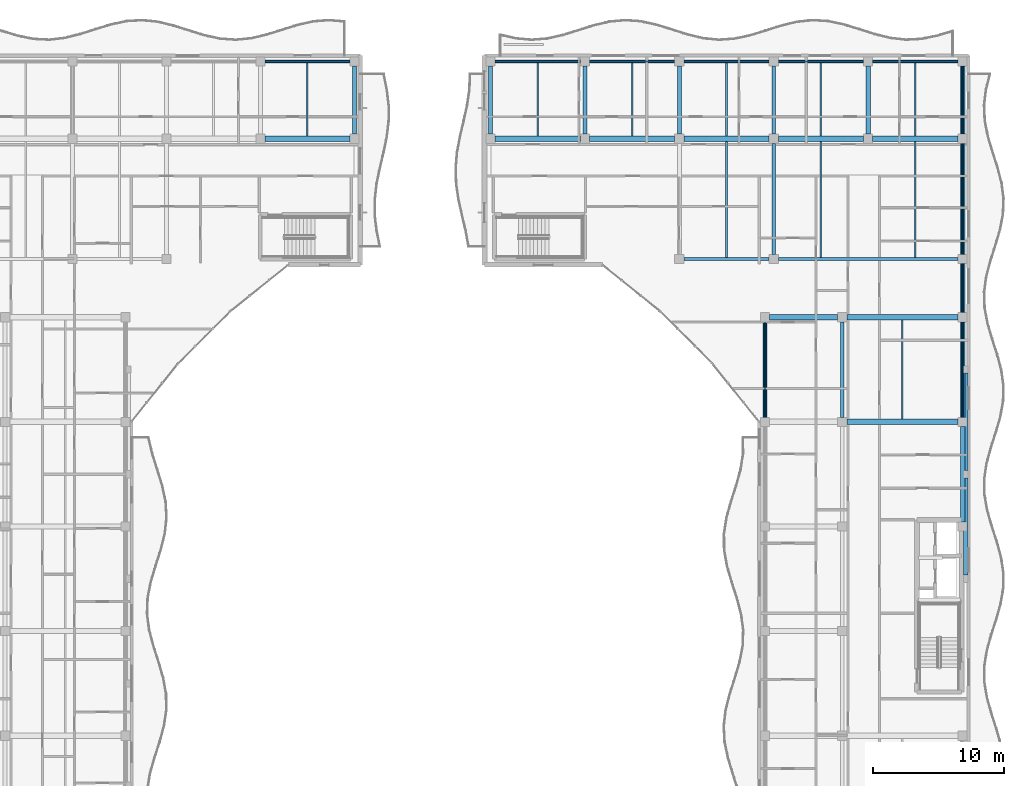
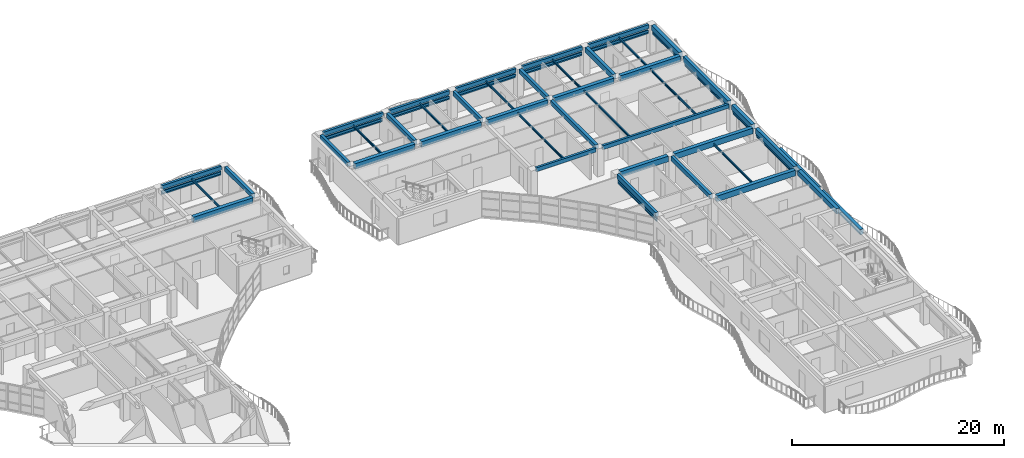
# One storey, part 35 of 89: 43 beams, 22 members.
"""IFC4 building model written with IfcOpenShell, lengths in metres."""

import ifcopenshell
import ifcopenshell.guid

model = None  # the IFC model being written
_history = None  # IfcOwnerHistory: only IFC2X3 demands one
_inside = {}  # id of a spatial element -> (the spatial element, [elements in it])
_under = {}  # id of a project, library or spatial element -> (it, [spatial elements below it])
_declared = {}  # id of a project -> (the project, [libraries it declares])
_typed = {}  # id of a type object -> (the type object, [elements of that type])
_made_of = {}  # id of a material, layer set ... -> (it, [elements and type objects made of it])


def new_model(schema):
    """Start an empty IFC model of exactly this schema.

    Asked for "IFC4X3", IfcOpenShell would pick the latest addendum, in which some entities
    have other attributes; the version numbers below select the first issue.
    IFC2X3 requires an IfcOwnerHistory on every rooted entity: one is made here for all.
    """
    global model, _history
    if schema == "IFC4X3":
        model = ifcopenshell.file(schema_version=(4, 3, 0, 0))
    else:
        model = ifcopenshell.file(schema=schema)
    _inside.clear()
    _under.clear()
    _declared.clear()
    _typed.clear()
    _made_of.clear()
    _history = None
    if model.schema == "IFC2X3":
        org = make("IfcOrganization", Name="unknown")
        user = make(
            "IfcPersonAndOrganization",
            ThePerson=make("IfcPerson", FamilyName="unknown"),
            TheOrganization=org,
        )
        app = make(
            "IfcApplication",
            ApplicationDeveloper=org,
            Version="unknown",
            ApplicationFullName="unknown",
            ApplicationIdentifier="unknown",
        )
        _history = make(
            "IfcOwnerHistory",
            OwningUser=user,
            OwningApplication=app,
            ChangeAction="ADDED",
            CreationDate=0,
        )
    return model


def make(cls, **values):
    """One entity of the class cls with the attributes given. An attribute that is None is left unset."""
    return model.create_entity(
        cls, **{name: value for name, value in values.items() if value is not None}
    )


def rooted(cls, **values):
    """An entity with a GlobalId (a new one), such as an element, a storey or a relation."""
    return make(cls, GlobalId=ifcopenshell.guid.new(), OwnerHistory=_history, **values)


def si_unit(unit_type, name, prefix=None):
    """IfcSIUnit, for example si_unit("LENGTHUNIT", "METRE", prefix="MILLI")."""
    return make("IfcSIUnit", UnitType=unit_type, Prefix=prefix, Name=name)


def assignment(units):
    """IfcUnitAssignment: the units of a project."""
    return None if units is None else make("IfcUnitAssignment", Units=units)


def point(xyz):
    """IfcCartesianPoint."""
    return None if xyz is None else make("IfcCartesianPoint", Coordinates=xyz)


def direction(xyz):
    """IfcDirection."""
    return None if xyz is None else make("IfcDirection", DirectionRatios=xyz)


def frame(location, z_axis=None, x_axis=None):
    """IfcAxis2Placement3D, a coordinate frame: its origin and axes. An axis left out is left unset."""
    return make(
        "IfcAxis2Placement3D",
        Location=point(location),
        Axis=direction(z_axis),
        RefDirection=direction(x_axis),
    )


def frame_2d(location, x_axis=None):
    """IfcAxis2Placement2D, a coordinate frame in the plane: its origin and x axis."""
    return make(
        "IfcAxis2Placement2D", Location=point(location), RefDirection=direction(x_axis)
    )


def origin():
    """The frame at (0, 0, 0) with its axes left unset."""
    return frame((0.0, 0.0, 0.0))


def origin_2d():
    """The frame at (0, 0) in the plane with its x axis left unset."""
    return frame_2d((0.0, 0.0))


def place(relative_to, where):
    """IfcLocalPlacement: puts the frame where relative to a parent placement (None: the world)."""
    return make(
        "IfcLocalPlacement", PlacementRelTo=relative_to, RelativePlacement=where
    )


def context(
    kind, dimensions, precision=None, world=None, true_north=None, identifier=None
):
    """IfcGeometricRepresentationContext, for example the 3D "Model" context."""
    return make(
        "IfcGeometricRepresentationContext",
        ContextIdentifier=identifier,
        ContextType=kind,
        CoordinateSpaceDimension=dimensions,
        Precision=precision,
        WorldCoordinateSystem=world,
        TrueNorth=true_north,
    )


def subcontext(parent, identifier, kind, view, scale=None):
    """IfcGeometricRepresentationSubContext, for example "Body" below "Model"."""
    return make(
        "IfcGeometricRepresentationSubContext",
        ContextIdentifier=identifier,
        ContextType=kind,
        ParentContext=parent,
        TargetScale=scale,
        TargetView=view,
    )


def project(units=None, contexts=None):
    """IfcProject with its units and contexts."""
    return rooted(
        "IfcProject",
        Name="project",
        RepresentationContexts=contexts,
        UnitsInContext=assignment(units),
    )


def spatial(cls, under=None, at=None, **own):
    """A site, building, storey or space (cls), placed at a placement, below another one or the project."""
    s = rooted(cls, ObjectPlacement=at, **own)
    if under is not None:
        _under.setdefault(under.id(), (under, []))[1].append(s)
    return s


def profile(cls, at=None, kind="AREA", **sizes):
    """A parametric profile (cls). Its sizes go by their IFC names, for example OverallWidth=200.0."""
    return make(cls, ProfileType=kind, Position=at, **sizes)


def rectangle(**sizes):
    """IfcRectangleProfileDef."""
    return profile("IfcRectangleProfileDef", **sizes)


def hollow_rectangle(**sizes):
    """IfcRectangleHollowProfileDef."""
    return profile("IfcRectangleHollowProfileDef", **sizes)


def i_section(**sizes):
    """IfcIShapeProfileDef."""
    return profile("IfcIShapeProfileDef", **sizes)


def extrude(swept, where, along, depth):
    """IfcExtrudedAreaSolid: the profile swept, set in the frame where, extruded along a direction by depth."""
    return make(
        "IfcExtrudedAreaSolid",
        SweptArea=swept,
        Position=where,
        ExtrudedDirection=direction(along),
        Depth=depth,
    )


def shape(context_of_items, identifier, shape_type, items):
    """IfcShapeRepresentation: the items that make up one representation, for example the "Body"."""
    return make(
        "IfcShapeRepresentation",
        ContextOfItems=context_of_items,
        RepresentationIdentifier=identifier,
        RepresentationType=shape_type,
        Items=items,
    )


def material(Name=None, Category=None):
    """IfcMaterial."""
    return make("IfcMaterial", Name=Name, Category=Category)


def material_profile(
    of_material, cross_section, Name=None, Category=None, Priority=None
):
    """IfcMaterialProfile: a cross section and its material."""
    return make(
        "IfcMaterialProfile",
        Name=Name,
        Material=of_material,
        Profile=cross_section,
        Priority=Priority,
        Category=Category,
    )


def profile_set(profiles, Name=None, composite=None):
    """IfcMaterialProfileSet."""
    return make(
        "IfcMaterialProfileSet",
        Name=Name,
        MaterialProfiles=profiles,
        CompositeProfile=composite,
    )


def made_of(thing, what):
    """Note that an element or type object is made of a material, layer set ...; save() writes the relation."""
    if what is not None:
        _made_of.setdefault(what.id(), (what, []))[1].append(thing)
    return thing


def type_object(cls, material=None, **own):
    """A type object (cls), such as IfcWallType, which elements share."""
    return made_of(rooted(cls, **own), material)


def element(
    cls,
    number,
    at=None,
    inside=None,
    cuts=None,
    type_object=None,
    material=None,
    context=None,
    identifier="Body",
    shape_type=None,
    held_by="IfcProductDefinitionShape",
    body=None,
    shapes=None,
    **own,
):
    """One element of the class cls, such as IfcWall. Its Tag is "e" and its number.

    at: its placement. inside: the storey or other place that contains it. cuts: it is an
    opening in that element (IfcRelVoidsElement). A single representation is given by context,
    identifier, shape_type and body (its items); several are given by shapes. held_by: the class
    of the entity that holds the representations. save() writes the other relations.
    """
    e = rooted(cls, Tag="e%d" % number, ObjectPlacement=at, **own)
    if body is not None:
        shapes = [shape(context, identifier, shape_type, body)]
    if shapes is not None:
        e.Representation = make(held_by, Representations=shapes)
    if inside is not None:
        _inside.setdefault(inside.id(), (inside, []))[1].append(e)
    if cuts is not None:
        rooted(
            "IfcRelVoidsElement", RelatingBuildingElement=cuts, RelatedOpeningElement=e
        )
    if type_object is not None:
        _typed.setdefault(type_object.id(), (type_object, []))[1].append(e)
    return made_of(e, material)


def aggregate(whole, parts):
    """IfcRelAggregates: a whole, such as a stair, and the parts it consists of."""
    return rooted("IfcRelAggregates", RelatingObject=whole, RelatedObjects=parts)


def save(model, path):
    """Write the relations noted so far, then the file.

    IfcRelAggregates (storeys below a building ...), IfcRelContainedInSpatialStructure (elements
    in a storey), IfcRelDefinesByType, IfcRelAssociatesMaterial and IfcRelDeclares: one each for
    every whole, place, type object, material and project.
    """
    for whole, parts in _under.values():
        aggregate(whole, parts)
    for where, things in _inside.values():
        rooted(
            "IfcRelContainedInSpatialStructure",
            RelatedElements=things,
            RelatingStructure=where,
        )
    for kind, things in _typed.values():
        rooted("IfcRelDefinesByType", RelatedObjects=things, RelatingType=kind)
    for what, things in _made_of.values():
        rooted("IfcRelAssociatesMaterial", RelatedObjects=things, RelatingMaterial=what)
    for by, libraries in _declared.values():
        rooted("IfcRelDeclares", RelatingContext=by, RelatedDefinitions=libraries)
    model.write(path)


model = new_model("IFC4")

# Units and contexts
model_context = context("Model", 3, precision=1e-05, world=origin(), true_north=direction((0.0, 1.0)))
body_context = subcontext(model_context, "Body", "Model", "MODEL_VIEW")
ifc_project = project(units=[si_unit("LENGTHUNIT", "METRE"), si_unit("AREAUNIT", "SQUARE_METRE"), si_unit("VOLUMEUNIT", "CUBIC_METRE"), si_unit("PLANEANGLEUNIT", "RADIAN"), si_unit("MASSUNIT", "GRAM", prefix="KILO")], contexts=[model_context])

# Site, building, storey
site_placement = place(None, origin())
site = spatial("IfcSite", under=ifc_project, at=site_placement, CompositionType="ELEMENT")
building_placement = place(site_placement, origin())
building = spatial("IfcBuilding", under=site, at=building_placement, Name="Keldmere Railside Commons", CompositionType="ELEMENT")
storey_placement = place(building_placement, frame((0.0, 0.0, 7.360107421875)))
storey = spatial("IfcBuildingStorey", under=building, at=storey_placement, Name="L02", CompositionType="ELEMENT", Elevation=7.360107421875)

# Members
ifc_material_1 = material(Name="Steel F-36 (S355)", Category="steel")
ifc_material_profile_1 = material_profile(ifc_material_1, hollow_rectangle(XDim=0.14990234375, YDim=0.25, WallThickness=0.010009765625, at=origin_2d()), Name="RHS-250x150x10")
ifc_profile_set_1 = profile_set([ifc_material_profile_1], Name="Steel F-36 (S355)")
member_type_1 = type_object("IfcMemberType", Name="Balcony Continuous Planted Trough RHS250x150", PredefinedType="CHORD", material=ifc_profile_set_1)
member_1_placement = place(storey_placement, frame((130.217041015625, 115.550048828125, 2.414794921875), z_axis=(1.0, 0.0, 0.0), x_axis=(0.0, 1.0, 0.0)))
element("IfcMember", 1, at=member_1_placement, inside=storey, type_object=member_type_1, Name="PLT-1 MEM-BPLT-0281", PredefinedType="CHORD", context=body_context, shape_type="SweptSolid", body=[
    extrude(hollow_rectangle(XDim=0.14990234375, YDim=0.25, WallThickness=0.010009765625, at=origin_2d()), origin(), (0.0, 0.0, 1.0), 6.48291015625),
])
for number, where, z_axis, x_axis, name in (
    (2, (147.800048828125, 115.550048828125, 2.414794921875), (1.0, 0.0, 0.0), (0.0, 1.0, 0.0), "PLT-1 MEM-BPLT-0299"),
    (3, (155.02001953125, 115.550048828125, 2.414794921875), (1.0, 0.0, 0.0), (0.0, 1.0, 0.0), "PLT-1 MEM-BPLT-0301"),
    (4, (162.239990234375, 115.550048828125, 2.414794921875), (1.0, 0.0, 0.0), (0.0, 1.0, 0.0), "PLT-1 MEM-BPLT-0303"),
    (5, (169.4599609375, 115.550048828125, 2.414794921875), (1.0, 0.0, 0.0), (0.0, 1.0, 0.0), "PLT-1 MEM-BPLT-0305"),
    (6, (176.679931640625, 115.550048828125, 2.414794921875), (1.0, 0.0, 0.0), (0.0, 1.0, 0.0), "PLT-1 MEM-BPLT-0307"),
):
    element("IfcMember", number, at=place(storey_placement, frame(where, z_axis=z_axis, x_axis=x_axis)), inside=storey, type_object=member_type_1, Name=name, PredefinedType="CHORD", context=body_context, shape_type="SweptSolid", body=[
        extrude(hollow_rectangle(XDim=0.14990234375, YDim=0.25, WallThickness=0.010009765625, at=origin_2d()), origin(), (0.0, 0.0, 1.0), 6.52001953125),
    ])
for number, where, z_axis, x_axis, name in (
    (7, (168.449951171875, 88.35009765625, 2.414794921875), (0.0, 1.0, 0.0), (-1.0, 0.0, 0.0), "PLT-1 MEM-BPLT-0317"),
    (8, (183.550048828125, 88.35009765625, 2.414794921875), (0.0, 1.0, 0.0), (-1.0, 0.0, 0.0), "PLT-1 MEM-BPLT-0321"),
):
    element("IfcMember", number, at=place(storey_placement, frame(where, z_axis=z_axis, x_axis=x_axis)), inside=storey, type_object=member_type_1, Name=name, PredefinedType="CHORD", context=body_context, shape_type="SweptSolid", body=[
        extrude(hollow_rectangle(XDim=0.14990234375, YDim=0.25, WallThickness=0.010009765625, at=origin_2d()), origin(), (0.0, 0.0, 1.0), 7.2998046875),
    ])
member_2_placement = place(storey_placement, frame((183.550048828125, 96.35009765625, 2.414794921875), z_axis=(0.0, 1.0, 0.0), x_axis=(-1.0, 0.0, 0.0)))
element("IfcMember", 9, at=member_2_placement, inside=storey, type_object=member_type_1, Name="PLT-1 MEM-BPLT-0323", PredefinedType="CHORD", context=body_context, shape_type="SweptSolid", body=[
    extrude(hollow_rectangle(XDim=0.14990234375, YDim=0.25, WallThickness=0.010009765625, at=origin_2d()), origin(), (0.0, 0.0, 1.0), 3.75),
])
member_3_placement = place(storey_placement, frame((183.550048828125, 100.800048828125, 2.414794921875), z_axis=(0.0, 1.0, 0.0), x_axis=(-1.0, 0.0, 0.0)))
element("IfcMember", 10, at=member_3_placement, inside=storey, type_object=member_type_1, Name="PLT-1 MEM-BPLT-0325", PredefinedType="CHORD", context=body_context, shape_type="SweptSolid", body=[
    extrude(hollow_rectangle(XDim=0.14990234375, YDim=0.25, WallThickness=0.010009765625, at=origin_2d()), origin(), (0.0, 0.0, 1.0), 8.5),
])
member_4_placement = place(storey_placement, frame((183.550048828125, 110.0, 2.414794921875), z_axis=(0.0, 1.0, 0.0), x_axis=(-1.0, 0.0, 0.0)))
element("IfcMember", 11, at=member_4_placement, inside=storey, type_object=member_type_1, Name="PLT-1 MEM-BPLT-0327", PredefinedType="CHORD", context=body_context, shape_type="SweptSolid", body=[
    extrude(hollow_rectangle(XDim=0.14990234375, YDim=0.25, WallThickness=0.010009765625, at=origin_2d()), origin(), (0.0, 0.0, 1.0), 5.199951171875),
])

# Beams
ifc_material_profile_2 = material_profile(ifc_material_1, i_section(OverallWidth=0.1201171875, OverallDepth=0.239990234375, WebThickness=0.006103515625, FlangeThickness=0.009765625, at=origin_2d()), Name="IPE-240")
ifc_profile_set_2 = profile_set([ifc_material_profile_2], Name="Steel F-36 (S355)")
beam_type_1 = type_object("IfcBeamType", Name="Nursery & Mezzanine Steel Joist IPE240", PredefinedType="JOIST", material=ifc_profile_set_2)
beam_1_placement = place(storey_placement, frame((178.949951171875, 88.199951171875, 2.809814453125), z_axis=(0.0, 1.0, 0.0), x_axis=(-1.0, 0.0, 0.0)))
element("IfcBeam", 12, at=beam_1_placement, inside=storey, type_object=beam_type_1, Name="JST-2 BM-L02-1296", PredefinedType="JOIST", context=body_context, shape_type="SweptSolid", body=[
    extrude(i_section(OverallWidth=0.1201171875, OverallDepth=0.239990234375, WebThickness=0.006103515625, FlangeThickness=0.009765625, at=origin_2d()), origin(), (0.0, 0.0, 1.0), 7.60009765625),
])
for number, where, z_axis, x_axis, name in (
    (13, (165.5, 100.574951171875, 2.809814453125), (0.0, 1.0, 0.0), (-1.0, 0.0, 0.0), "JST-2 BM-L02-1307"),
    (14, (172.719970703125, 100.574951171875, 2.809814453125), (0.0, 1.0, 0.0), (-1.0, 0.0, 0.0), "JST-2 BM-L02-1308"),
    (15, (179.93994140625, 100.574951171875, 2.809814453125), (0.0, 1.0, 0.0), (-1.0, 0.0, 0.0), "JST-2 BM-L02-1309"),
):
    element("IfcBeam", number, at=place(storey_placement, frame(where, z_axis=z_axis, x_axis=x_axis)), inside=storey, type_object=beam_type_1, Name=name, PredefinedType="JOIST", context=body_context, shape_type="SweptSolid", body=[
        extrude(i_section(OverallWidth=0.1201171875, OverallDepth=0.239990234375, WebThickness=0.006103515625, FlangeThickness=0.009765625, at=origin_2d()), origin(), (0.0, 0.0, 1.0), 8.875),
    ])
for number, where, z_axis, x_axis, name in (
    (16, (133.458984375, 109.85009765625, 2.809814453125), (0.0, 1.0, 0.0), (-1.0, 0.0, 0.0), "JST-2 BM-L02-1323"),
    (17, (151.06005859375, 109.85009765625, 2.809814453125), (0.0, 1.0, 0.0), (-1.0, 0.0, 0.0), "JST-2 BM-L02-1324"),
    (18, (158.280029296875, 109.85009765625, 2.809814453125), (0.0, 1.0, 0.0), (-1.0, 0.0, 0.0), "JST-2 BM-L02-1325"),
    (19, (165.5, 109.85009765625, 2.809814453125), (0.0, 1.0, 0.0), (-1.0, 0.0, 0.0), "JST-2 BM-L02-1326"),
    (20, (172.719970703125, 109.85009765625, 2.809814453125), (0.0, 1.0, 0.0), (-1.0, 0.0, 0.0), "JST-2 BM-L02-1327"),
    (21, (179.93994140625, 109.85009765625, 2.809814453125), (0.0, 1.0, 0.0), (-1.0, 0.0, 0.0), "JST-2 BM-L02-1328"),
):
    element("IfcBeam", number, at=place(storey_placement, frame(where, z_axis=z_axis, x_axis=x_axis)), inside=storey, type_object=beam_type_1, Name=name, PredefinedType="JOIST", context=body_context, shape_type="SweptSolid", body=[
        extrude(i_section(OverallWidth=0.1201171875, OverallDepth=0.239990234375, WebThickness=0.006103515625, FlangeThickness=0.009765625, at=origin_2d()), origin(), (0.0, 0.0, 1.0), 5.574951171875),
    ])
ifc_material_2 = material(Name="Architectural Precast Concrete H-35 (C35/45)", Category="concrete")
ifc_material_profile_3 = material_profile(ifc_material_2, rectangle(XDim=0.25, YDim=0.449951171875, at=origin_2d()), Name="RC-250x450")
ifc_profile_set_3 = profile_set([ifc_material_profile_3], Name="Architectural Precast Concrete H-35 (C35/45)")
beam_type_2 = type_object("IfcBeamType", Name="Perimeter Precast Spandrel Beam 250x450", PredefinedType="SPANDREL", material=ifc_profile_set_3)
beam_2_placement = place(storey_placement, frame((162.239990234375, 100.449951171875, 2.974853515625), z_axis=(1.0, 0.0, 0.0), x_axis=(0.0, 1.0, 0.0)))
element("IfcBeam", 22, at=beam_2_placement, inside=storey, type_object=beam_type_2, Name="SPB-1 BM-L02-1116", PredefinedType="SPANDREL", context=body_context, shape_type="SweptSolid", body=[
    extrude(rectangle(XDim=0.25, YDim=0.449951171875, at=origin_2d()), origin(), (0.0, 0.0, 1.0), 6.52001953125),
])
beam_3_placement = place(storey_placement, frame((169.4599609375, 100.449951171875, 2.974853515625), z_axis=(1.0, 0.0, 0.0), x_axis=(0.0, 1.0, 0.0)))
element("IfcBeam", 23, at=beam_3_placement, inside=storey, type_object=beam_type_2, Name="SPB-1 BM-L02-1117", PredefinedType="SPANDREL", context=body_context, shape_type="SweptSolid", body=[
    extrude(rectangle(XDim=0.25, YDim=0.449951171875, at=origin_2d()), origin(), (0.0, 0.0, 1.0), 13.739990234375),
])
beam_4_placement = place(storey_placement, frame((130.217041015625, 115.550048828125, 2.974853515625), z_axis=(1.0, 0.0, 0.0), x_axis=(0.0, 1.0, 0.0)))
element("IfcBeam", 24, at=beam_4_placement, inside=storey, type_object=beam_type_2, Name="SPB-1 BM-L02-1150", PredefinedType="SPANDREL", context=body_context, shape_type="SweptSolid", body=[
    extrude(rectangle(XDim=0.25, YDim=0.449951171875, at=origin_2d()), origin(), (0.0, 0.0, 1.0), 6.48291015625),
])
for number, where, z_axis, x_axis, name in (
    (25, (147.800048828125, 115.550048828125, 2.974853515625), (1.0, 0.0, 0.0), (0.0, 1.0, 0.0), "SPB-1 BM-L02-1151"),
    (26, (155.02001953125, 115.550048828125, 2.974853515625), (1.0, 0.0, 0.0), (0.0, 1.0, 0.0), "SPB-1 BM-L02-1152"),
    (27, (162.239990234375, 115.550048828125, 2.974853515625), (1.0, 0.0, 0.0), (0.0, 1.0, 0.0), "SPB-1 BM-L02-1153"),
    (28, (169.4599609375, 115.550048828125, 2.974853515625), (1.0, 0.0, 0.0), (0.0, 1.0, 0.0), "SPB-1 BM-L02-1154"),
    (29, (176.679931640625, 115.550048828125, 2.974853515625), (1.0, 0.0, 0.0), (0.0, 1.0, 0.0), "SPB-1 BM-L02-1155"),
):
    element("IfcBeam", number, at=place(storey_placement, frame(where, z_axis=z_axis, x_axis=x_axis)), inside=storey, type_object=beam_type_2, Name=name, PredefinedType="SPANDREL", context=body_context, shape_type="SweptSolid", body=[
        extrude(rectangle(XDim=0.25, YDim=0.449951171875, at=origin_2d()), origin(), (0.0, 0.0, 1.0), 6.52001953125),
    ])
ifc_material_3 = material(Name="Concrete H-30 (C30/37)", Category="concrete")
ifc_material_profile_4 = material_profile(ifc_material_3, rectangle(XDim=0.35009765625, YDim=0.60009765625, at=origin_2d()), Name="RC-350x600")
ifc_profile_set_4 = profile_set([ifc_material_profile_4], Name="Concrete H-30 (C30/37)")
beam_type_3 = type_object("IfcBeamType", Name="Residential Chord RC Beam 350x600", PredefinedType="BEAM", material=ifc_profile_set_4)
beam_5_placement = place(storey_placement, frame((176.330078125, 110.0, 2.89990234375), z_axis=(0.0, 1.0, 0.0), x_axis=(-1.0, 0.0, 0.0)))
element("IfcBeam", 30, at=beam_5_placement, inside=storey, type_object=beam_type_3, Name="BG-4 BM-L02-1262", PredefinedType="BEAM", context=body_context, shape_type="SweptSolid", body=[
    extrude(rectangle(XDim=0.35009765625, YDim=0.60009765625, at=origin_2d()), origin(), (0.0, 0.0, 1.0), 5.199951171875),
])
for number, where, z_axis, x_axis, name in (
    (31, (183.550048828125, 80.35009765625, 2.89990234375), (0.0, 1.0, 0.0), (-1.0, 0.0, 0.0), "BG-4 BM-L02-1264"),
    (32, (183.550048828125, 88.35009765625, 2.89990234375), (0.0, 1.0, 0.0), (-1.0, 0.0, 0.0), "BG-4 BM-L02-1265"),
):
    element("IfcBeam", number, at=place(storey_placement, frame(where, z_axis=z_axis, x_axis=x_axis)), inside=storey, type_object=beam_type_3, Name=name, PredefinedType="BEAM", context=body_context, shape_type="SweptSolid", body=[
        extrude(rectangle(XDim=0.35009765625, YDim=0.60009765625, at=origin_2d()), origin(), (0.0, 0.0, 1.0), 7.2998046875),
    ])
beam_6_placement = place(storey_placement, frame((183.550048828125, 96.35009765625, 2.89990234375), z_axis=(0.0, 1.0, 0.0), x_axis=(-1.0, 0.0, 0.0)))
element("IfcBeam", 33, at=beam_6_placement, inside=storey, type_object=beam_type_3, Name="BG-4 BM-L02-1266", PredefinedType="BEAM", context=body_context, shape_type="SweptSolid", body=[
    extrude(rectangle(XDim=0.35009765625, YDim=0.60009765625, at=origin_2d()), origin(), (0.0, 0.0, 1.0), 3.75),
])
beam_7_placement = place(storey_placement, frame((183.550048828125, 100.800048828125, 2.89990234375), z_axis=(0.0, 1.0, 0.0), x_axis=(-1.0, 0.0, 0.0)))
element("IfcBeam", 34, at=beam_7_placement, inside=storey, type_object=beam_type_3, Name="BG-4 BM-L02-1267", PredefinedType="BEAM", context=body_context, shape_type="SweptSolid", body=[
    extrude(rectangle(XDim=0.35009765625, YDim=0.60009765625, at=origin_2d()), origin(), (0.0, 0.0, 1.0), 8.5),
])
beam_8_placement = place(storey_placement, frame((183.550048828125, 110.0, 2.89990234375), z_axis=(0.0, 1.0, 0.0), x_axis=(-1.0, 0.0, 0.0)))
element("IfcBeam", 35, at=beam_8_placement, inside=storey, type_object=beam_type_3, Name="BG-4 BM-L02-1268", PredefinedType="BEAM", context=body_context, shape_type="SweptSolid", body=[
    extrude(rectangle(XDim=0.35009765625, YDim=0.60009765625, at=origin_2d()), origin(), (0.0, 0.0, 1.0), 5.199951171875),
])
for number, where, z_axis, x_axis, name in (
    (36, (183.780029296875, 76.27490234375, 2.89990234375), (0.0, 1.0, 0.0), (-1.0, 0.0, 0.0), "BG-4 BM-L02-1269"),
    (37, (183.780029296875, 84.27490234375, 2.89990234375), (0.0, 1.0, 0.0), (-1.0, 0.0, 0.0), "BG-4 BM-L02-1270"),
):
    element("IfcBeam", number, at=place(storey_placement, frame(where, z_axis=z_axis, x_axis=x_axis)), inside=storey, type_object=beam_type_3, Name=name, PredefinedType="BEAM", context=body_context, shape_type="SweptSolid", body=[
        extrude(rectangle(XDim=0.35009765625, YDim=0.60009765625, at=origin_2d()), origin(), (0.0, 0.0, 1.0), 7.4501953125),
    ])
ifc_material_profile_5 = material_profile(ifc_material_3, rectangle(XDim=0.39990234375, YDim=0.64990234375, at=origin_2d()), Name="RC-400x650")
ifc_profile_set_5 = profile_set([ifc_material_profile_5], Name="Concrete H-30 (C30/37)")
beam_type_4 = type_object("IfcBeamType", Name="Residential Spine RC Girder 400x650", PredefinedType="BEAM", material=ifc_profile_set_5)
beam_9_placement = place(storey_placement, frame((174.699951171875, 88.0, 2.875), z_axis=(1.0, 0.0, 0.0), x_axis=(0.0, 1.0, 0.0)))
element("IfcBeam", 38, at=beam_9_placement, inside=storey, type_object=beam_type_4, Name="BG-3 BM-L02-1099", PredefinedType="BEAM", context=body_context, shape_type="SweptSolid", body=[
    extrude(rectangle(XDim=0.39990234375, YDim=0.64990234375, at=origin_2d()), origin(), (0.0, 0.0, 1.0), 8.5),
])
beam_10_placement = place(storey_placement, frame((168.800048828125, 96.0, 2.875), z_axis=(1.0, 0.0, 0.0), x_axis=(0.0, 1.0, 0.0)))
element("IfcBeam", 39, at=beam_10_placement, inside=storey, type_object=beam_type_4, Name="BG-3 BM-L02-1106", PredefinedType="BEAM", context=body_context, shape_type="SweptSolid", body=[
    extrude(rectangle(XDim=0.39990234375, YDim=0.64990234375, at=origin_2d()), origin(), (0.0, 0.0, 1.0), 5.199951171875),
])
beam_11_placement = place(storey_placement, frame((174.699951171875, 96.0, 2.875), z_axis=(1.0, 0.0, 0.0), x_axis=(0.0, 1.0, 0.0)))
element("IfcBeam", 40, at=beam_11_placement, inside=storey, type_object=beam_type_4, Name="BG-3 BM-L02-1107", PredefinedType="BEAM", context=body_context, shape_type="SweptSolid", body=[
    extrude(rectangle(XDim=0.39990234375, YDim=0.64990234375, at=origin_2d()), origin(), (0.0, 0.0, 1.0), 8.5),
])
beam_12_placement = place(storey_placement, frame((130.217041015625, 109.64990234375, 2.875), z_axis=(1.0, 0.0, 0.0), x_axis=(0.0, 1.0, 0.0)))
element("IfcBeam", 41, at=beam_12_placement, inside=storey, type_object=beam_type_4, Name="BG-3 BM-L02-1131", PredefinedType="BEAM", context=body_context, shape_type="SweptSolid", body=[
    extrude(rectangle(XDim=0.39990234375, YDim=0.64990234375, at=origin_2d()), origin(), (0.0, 0.0, 1.0), 6.48291015625),
])
for number, where, z_axis, x_axis, name in (
    (42, (147.800048828125, 109.64990234375, 2.875), (1.0, 0.0, 0.0), (0.0, 1.0, 0.0), "BG-3 BM-L02-1132"),
    (43, (155.02001953125, 109.64990234375, 2.875), (1.0, 0.0, 0.0), (0.0, 1.0, 0.0), "BG-3 BM-L02-1133"),
    (44, (162.239990234375, 109.64990234375, 2.875), (1.0, 0.0, 0.0), (0.0, 1.0, 0.0), "BG-3 BM-L02-1134"),
    (45, (169.4599609375, 109.64990234375, 2.875), (1.0, 0.0, 0.0), (0.0, 1.0, 0.0), "BG-3 BM-L02-1135"),
    (46, (176.679931640625, 109.64990234375, 2.875), (1.0, 0.0, 0.0), (0.0, 1.0, 0.0), "BG-3 BM-L02-1136"),
):
    element("IfcBeam", number, at=place(storey_placement, frame(where, z_axis=z_axis, x_axis=x_axis)), inside=storey, type_object=beam_type_4, Name=name, PredefinedType="BEAM", context=body_context, shape_type="SweptSolid", body=[
        extrude(rectangle(XDim=0.39990234375, YDim=0.64990234375, at=origin_2d()), origin(), (0.0, 0.0, 1.0), 6.52001953125),
    ])
ifc_material_profile_6 = material_profile(ifc_material_3, rectangle(XDim=0.300048828125, YDim=0.5, at=origin_2d()), Name="RC-300x500")
ifc_profile_set_6 = profile_set([ifc_material_profile_6], Name="Concrete H-30 (C30/37)")
beam_type_5 = type_object("IfcBeamType", Name="Secondary Frame RC Beam 300x500", PredefinedType="BEAM", material=ifc_profile_set_6)
for number, where, z_axis, x_axis, name in (
    (47, (137.050048828125, 110.0, 2.949951171875), (0.0, 1.0, 0.0), (-1.0, 0.0, 0.0), "BG-5 BM-L02-1233"),
    (48, (147.449951171875, 110.0, 2.949951171875), (0.0, 1.0, 0.0), (-1.0, 0.0, 0.0), "BG-5 BM-L02-1234"),
    (49, (154.669921875, 110.0, 2.949951171875), (0.0, 1.0, 0.0), (-1.0, 0.0, 0.0), "BG-5 BM-L02-1238"),
    (50, (161.889892578125, 110.0, 2.949951171875), (0.0, 1.0, 0.0), (-1.0, 0.0, 0.0), "BG-5 BM-L02-1243"),
):
    element("IfcBeam", number, at=place(storey_placement, frame(where, z_axis=z_axis, x_axis=x_axis)), inside=storey, type_object=beam_type_5, Name=name, PredefinedType="BEAM", context=body_context, shape_type="SweptSolid", body=[
        extrude(rectangle(XDim=0.300048828125, YDim=0.5, at=origin_2d()), origin(), (0.0, 0.0, 1.0), 5.199951171875),
    ])
beam_13_placement = place(storey_placement, frame((168.449951171875, 88.35009765625, 2.949951171875), z_axis=(0.0, 1.0, 0.0), x_axis=(-1.0, 0.0, 0.0)))
element("IfcBeam", 51, at=beam_13_placement, inside=storey, type_object=beam_type_5, Name="BG-5 BM-L02-1251", PredefinedType="BEAM", context=body_context, shape_type="SweptSolid", body=[
    extrude(rectangle(XDim=0.300048828125, YDim=0.5, at=origin_2d()), origin(), (0.0, 0.0, 1.0), 7.2998046875),
])
beam_14_placement = place(storey_placement, frame((169.110107421875, 100.800048828125, 2.949951171875), z_axis=(0.0, 1.0, 0.0), x_axis=(-1.0, 0.0, 0.0)))
element("IfcBeam", 52, at=beam_14_placement, inside=storey, type_object=beam_type_5, Name="BG-5 BM-L02-1252", PredefinedType="BEAM", context=body_context, shape_type="SweptSolid", body=[
    extrude(rectangle(XDim=0.300048828125, YDim=0.5, at=origin_2d()), origin(), (0.0, 0.0, 1.0), 8.5),
])
beam_15_placement = place(storey_placement, frame((169.110107421875, 110.0, 2.949951171875), z_axis=(0.0, 1.0, 0.0), x_axis=(-1.0, 0.0, 0.0)))
element("IfcBeam", 53, at=beam_15_placement, inside=storey, type_object=beam_type_5, Name="BG-5 BM-L02-1253", PredefinedType="BEAM", context=body_context, shape_type="SweptSolid", body=[
    extrude(rectangle(XDim=0.300048828125, YDim=0.5, at=origin_2d()), origin(), (0.0, 0.0, 1.0), 5.199951171875),
])
beam_16_placement = place(storey_placement, frame((174.35009765625, 88.35009765625, 2.949951171875), z_axis=(0.0, 1.0, 0.0), x_axis=(-1.0, 0.0, 0.0)))
element("IfcBeam", 54, at=beam_16_placement, inside=storey, type_object=beam_type_5, Name="BG-5 BM-L02-1258", PredefinedType="BEAM", context=body_context, shape_type="SweptSolid", body=[
    extrude(rectangle(XDim=0.300048828125, YDim=0.5, at=origin_2d()), origin(), (0.0, 0.0, 1.0), 7.2998046875),
])

# Members
ifc_material_profile_7 = material_profile(ifc_material_1, hollow_rectangle(XDim=0.10009765625, YDim=0.159912109375, WallThickness=0.008056640625, at=origin_2d()), Name="RHS-160x100x8")
ifc_profile_set_7 = profile_set([ifc_material_profile_7], Name="Steel F-36 (S355)")
member_type_2 = type_object("IfcMemberType", Name="Solar Brise-Soleil Louvre Fin RHS160x100", PredefinedType="STRUT", material=ifc_profile_set_7)
member_5_placement = place(storey_placement, frame((130.217041015625, 115.550048828125, 2.199951171875), z_axis=(1.0, 0.0, 0.0), x_axis=(0.0, 1.0, 0.0)))
element("IfcMember", 55, at=member_5_placement, inside=storey, type_object=member_type_2, Name="BSF-1 MEM-BSF-0282", PredefinedType="STRUT", context=body_context, shape_type="SweptSolid", body=[
    extrude(hollow_rectangle(XDim=0.10009765625, YDim=0.159912109375, WallThickness=0.008056640625, at=origin_2d()), origin(), (0.0, 0.0, 1.0), 6.48291015625),
])
for number, where, z_axis, x_axis, name in (
    (56, (147.800048828125, 115.550048828125, 2.199951171875), (1.0, 0.0, 0.0), (0.0, 1.0, 0.0), "BSF-1 MEM-BSF-0300"),
    (57, (155.02001953125, 115.550048828125, 2.199951171875), (1.0, 0.0, 0.0), (0.0, 1.0, 0.0), "BSF-1 MEM-BSF-0302"),
    (58, (162.239990234375, 115.550048828125, 2.199951171875), (1.0, 0.0, 0.0), (0.0, 1.0, 0.0), "BSF-1 MEM-BSF-0304"),
    (59, (169.4599609375, 115.550048828125, 2.199951171875), (1.0, 0.0, 0.0), (0.0, 1.0, 0.0), "BSF-1 MEM-BSF-0306"),
    (60, (176.679931640625, 115.550048828125, 2.199951171875), (1.0, 0.0, 0.0), (0.0, 1.0, 0.0), "BSF-1 MEM-BSF-0308"),
):
    element("IfcMember", number, at=place(storey_placement, frame(where, z_axis=z_axis, x_axis=x_axis)), inside=storey, type_object=member_type_2, Name=name, PredefinedType="STRUT", context=body_context, shape_type="SweptSolid", body=[
        extrude(hollow_rectangle(XDim=0.10009765625, YDim=0.159912109375, WallThickness=0.008056640625, at=origin_2d()), origin(), (0.0, 0.0, 1.0), 6.52001953125),
    ])
for number, where, z_axis, x_axis, name in (
    (61, (168.449951171875, 88.35009765625, 2.199951171875), (0.0, 1.0, 0.0), (-1.0, 0.0, 0.0), "BSF-1 MEM-BSF-0318"),
    (62, (183.550048828125, 88.35009765625, 2.199951171875), (0.0, 1.0, 0.0), (-1.0, 0.0, 0.0), "BSF-1 MEM-BSF-0322"),
):
    element("IfcMember", number, at=place(storey_placement, frame(where, z_axis=z_axis, x_axis=x_axis)), inside=storey, type_object=member_type_2, Name=name, PredefinedType="STRUT", context=body_context, shape_type="SweptSolid", body=[
        extrude(hollow_rectangle(XDim=0.10009765625, YDim=0.159912109375, WallThickness=0.008056640625, at=origin_2d()), origin(), (0.0, 0.0, 1.0), 7.2998046875),
    ])
member_6_placement = place(storey_placement, frame((183.550048828125, 96.35009765625, 2.199951171875), z_axis=(0.0, 1.0, 0.0), x_axis=(-1.0, 0.0, 0.0)))
element("IfcMember", 63, at=member_6_placement, inside=storey, type_object=member_type_2, Name="BSF-1 MEM-BSF-0324", PredefinedType="STRUT", context=body_context, shape_type="SweptSolid", body=[
    extrude(hollow_rectangle(XDim=0.10009765625, YDim=0.159912109375, WallThickness=0.008056640625, at=origin_2d()), origin(), (0.0, 0.0, 1.0), 3.75),
])
member_7_placement = place(storey_placement, frame((183.550048828125, 100.800048828125, 2.199951171875), z_axis=(0.0, 1.0, 0.0), x_axis=(-1.0, 0.0, 0.0)))
element("IfcMember", 64, at=member_7_placement, inside=storey, type_object=member_type_2, Name="BSF-1 MEM-BSF-0326", PredefinedType="STRUT", context=body_context, shape_type="SweptSolid", body=[
    extrude(hollow_rectangle(XDim=0.10009765625, YDim=0.159912109375, WallThickness=0.008056640625, at=origin_2d()), origin(), (0.0, 0.0, 1.0), 8.5),
])
member_8_placement = place(storey_placement, frame((183.550048828125, 110.0, 2.199951171875), z_axis=(0.0, 1.0, 0.0), x_axis=(-1.0, 0.0, 0.0)))
element("IfcMember", 65, at=member_8_placement, inside=storey, type_object=member_type_2, Name="BSF-1 MEM-BSF-0328", PredefinedType="STRUT", context=body_context, shape_type="SweptSolid", body=[
    extrude(hollow_rectangle(XDim=0.10009765625, YDim=0.159912109375, WallThickness=0.008056640625, at=origin_2d()), origin(), (0.0, 0.0, 1.0), 5.199951171875),
])

save(model, "model.ifc")
